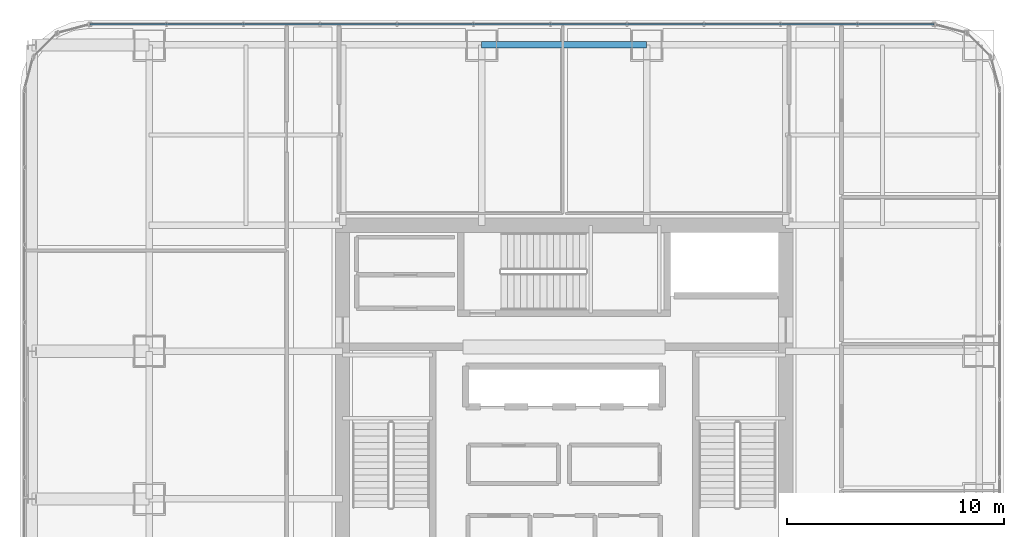
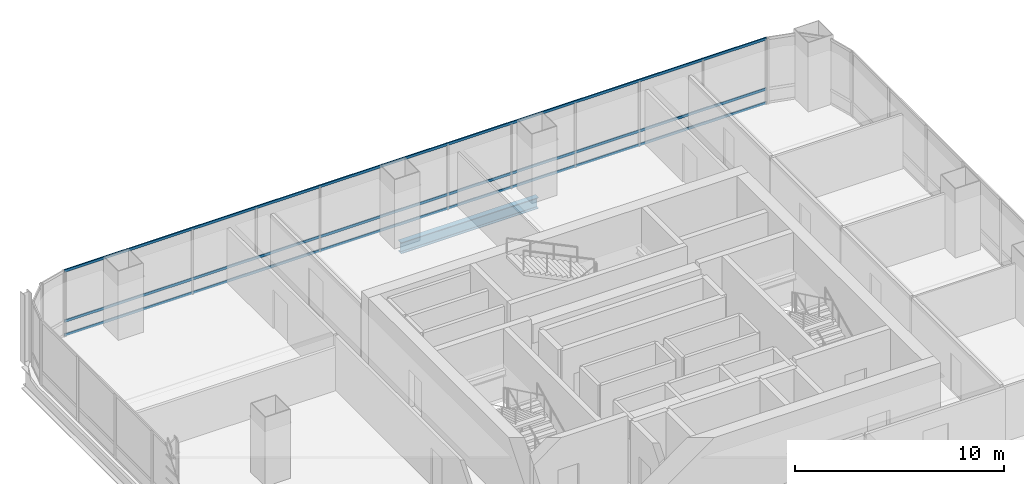
# One storey, part 23 of 37: 3 members, 1 beam, 1 element without a shape of its own.
"""IFC4 building model written with IfcOpenShell, lengths in metres."""

from ifc_helpers import new_model, si_unit, direction, frame, origin, origin_2d, place, context, subcontext, project, spatial, hollow_rectangle, i_section, extrude, material, material_profile, profile_set, type_object, element, aggregate, save


model = new_model("IFC4")

# Units and contexts
model_context = context("Model", 3, precision=1e-05, world=origin(), true_north=direction((0.0, 1.0)))
body_context = subcontext(model_context, "Body", "Model", "MODEL_VIEW")
ifc_project = project(units=[si_unit("LENGTHUNIT", "METRE"), si_unit("AREAUNIT", "SQUARE_METRE"), si_unit("VOLUMEUNIT", "CUBIC_METRE"), si_unit("PLANEANGLEUNIT", "RADIAN"), si_unit("MASSUNIT", "GRAM", prefix="KILO")], contexts=[model_context])

# Site, building, storey
site_placement = place(None, origin())
site = spatial("IfcSite", under=ifc_project, at=site_placement, CompositionType="ELEMENT")
building_placement = place(site_placement, origin())
building = spatial("IfcBuilding", under=site, at=building_placement, Name="Punatoya Terracotta Tower", CompositionType="ELEMENT")
storey_placement = place(building_placement, frame((0.0, 0.0, 192.449951171875)))
storey = spatial("IfcBuildingStorey", under=building, at=storey_placement, Name="L45", CompositionType="ELEMENT", Elevation=192.449951171875)

# Beam
ifc_material_1 = material(Name="Steel S355", Category="steel")
ifc_material_profile_1 = material_profile(ifc_material_1, i_section(OverallWidth=0.300048828125, OverallDepth=0.64990234375, WebThickness=0.01611328125, FlangeThickness=0.031005859375, FilletRadius=0.01806640625, at=origin_2d()))
ifc_profile_set_1 = profile_set([ifc_material_profile_1], Name="Steel S355")
beam_type = type_object("IfcBeamType", Name="BM-PRI-650", PredefinedType="BEAM", material=ifc_profile_set_1)
beam_placement = place(storey_placement, frame((-3.800048828125, 17.5, -0.544921875), z_axis=(1.0, 0.0, 0.0), x_axis=(0.0, 1.0, 0.0)))
element("IfcBeam", 1, at=beam_placement, inside=storey, type_object=beam_type, Name="BM-L45-RG-N2", PredefinedType="BEAM", context=body_context, shape_type="SweptSolid", body=[
    extrude(i_section(OverallWidth=0.300048828125, OverallDepth=0.64990234375, WebThickness=0.01611328125, FlangeThickness=0.031005859375, FilletRadius=0.01806640625, at=origin_2d()), origin(), (0.0, 0.0, 1.0), 7.60009765625),
])

# Curtain wall, members
ifc_material_2 = material(Name="Aluminium 6063-T6 + Double Low-E Glass", Category="aluminium")
curtain_wall_type = type_object("IfcCurtainWallType", Name="CW-M2", PredefinedType="NOTDEFINED", material=ifc_material_2)
curtain_wall_placement = place(storey_placement, origin())
curtain_wall = element("IfcCurtainWall", 2, at=curtain_wall_placement, inside=storey, type_object=curtain_wall_type, Name="L45 Curtain Wall CW-L45-N09-1", PredefinedType="NOTDEFINED")
ifc_material_3 = material(Name="Aluminium 6063-T6", Category="aluminium")
ifc_material_profile_2 = material_profile(ifc_material_3, hollow_rectangle(XDim=0.068115234375, YDim=0.14990234375, WallThickness=0.00390625, at=origin_2d()))
ifc_profile_set_2 = profile_set([ifc_material_profile_2], Name="Aluminium 6063-T6")
member_type = type_object("IfcMemberType", Name="CW-TRN-TYP", PredefinedType="USERDEFINED", material=ifc_profile_set_2)
member_1_placement = place(storey_placement, frame((17.036865234375, 18.449951171875, 0.0400390625), z_axis=(-1.0, 0.0, 0.0), x_axis=(0.0, -1.0, 0.0)))
member_1 = element("IfcMember", 3, at=member_1_placement, type_object=member_type, Name="CW-L45-N09-1 Transom 1", ObjectType="TRANSOM", PredefinedType="USERDEFINED", context=body_context, shape_type="SweptSolid", body=[
    extrude(hollow_rectangle(XDim=0.068115234375, YDim=0.14990234375, WallThickness=0.00390625, at=origin_2d()), origin(), (0.0, 0.0, 1.0), 38.873779296875),
])
member_2_placement = place(storey_placement, frame((17.036865234375, 18.449951171875, 0.85009765625), z_axis=(-1.0, 0.0, 0.0), x_axis=(0.0, -1.0, 0.0)))
member_2 = element("IfcMember", 4, at=member_2_placement, type_object=member_type, Name="CW-L45-N09-1 Transom 2", ObjectType="TRANSOM", PredefinedType="USERDEFINED", context=body_context, shape_type="SweptSolid", body=[
    extrude(hollow_rectangle(XDim=0.068115234375, YDim=0.14990234375, WallThickness=0.00390625, at=origin_2d()), origin(), (0.0, 0.0, 1.0), 38.873779296875),
])
member_3_placement = place(storey_placement, frame((17.036865234375, 18.449951171875, 3.7900390625), z_axis=(-1.0, 0.0, 0.0), x_axis=(0.0, -1.0, 0.0)))
member_3 = element("IfcMember", 5, at=member_3_placement, type_object=member_type, Name="CW-L45-N09-1 Transom 3", ObjectType="TRANSOM", PredefinedType="USERDEFINED", context=body_context, shape_type="SweptSolid", body=[
    extrude(hollow_rectangle(XDim=0.068115234375, YDim=0.14990234375, WallThickness=0.00390625, at=origin_2d()), origin(), (0.0, 0.0, 1.0), 38.873779296875),
])
aggregate(curtain_wall, [member_1, member_2, member_3])

save(model, "model.ifc")
